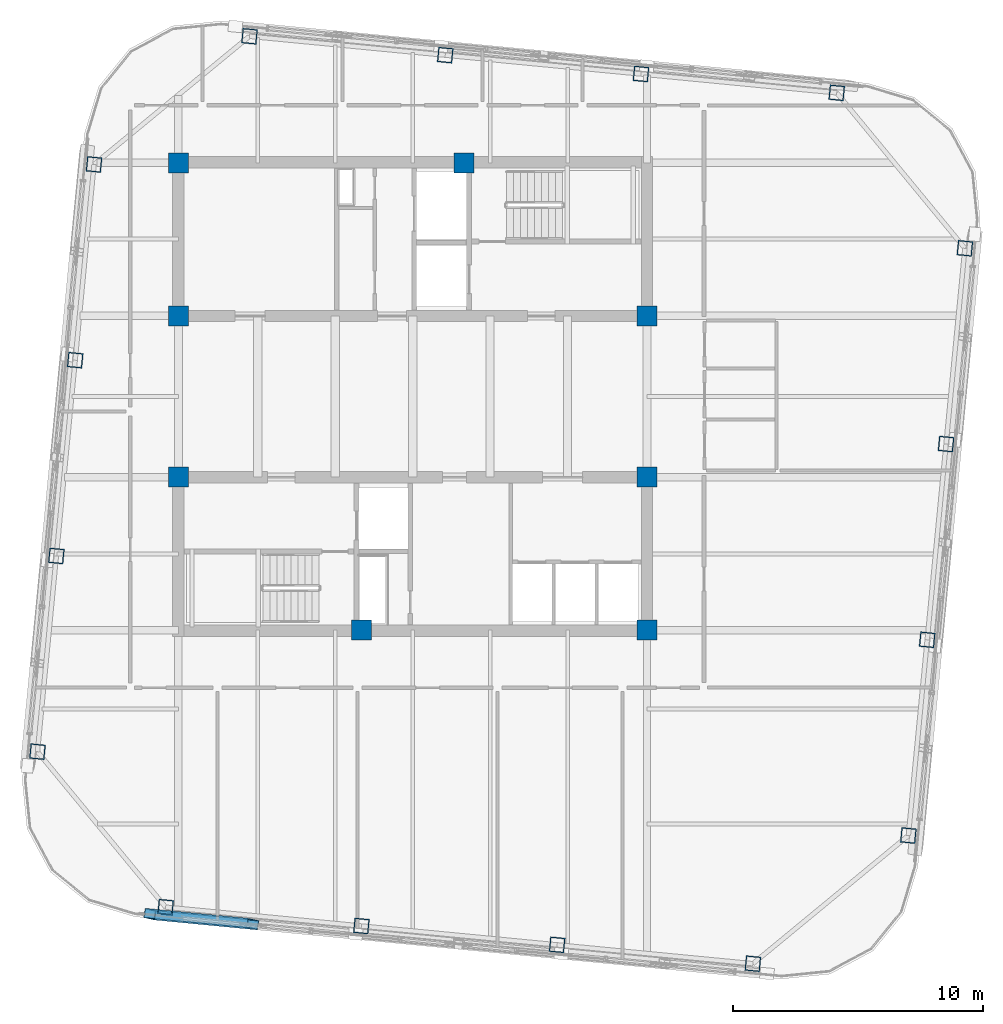
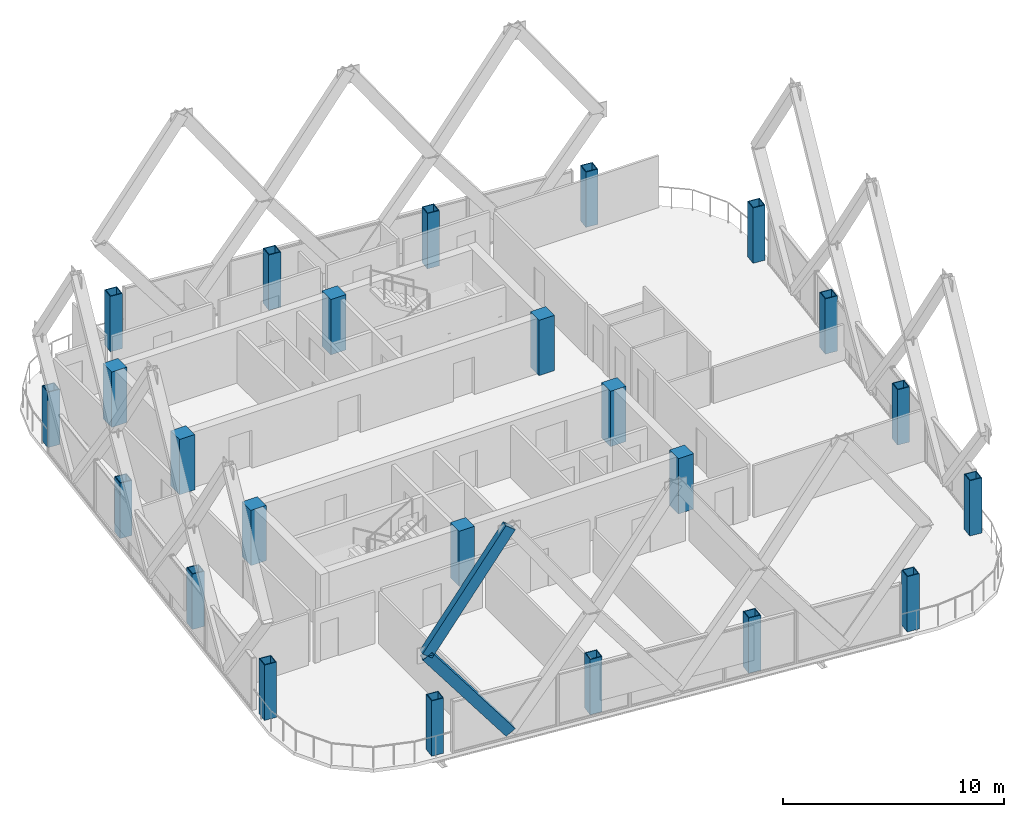
# One storey, part 1 of 25: 24 columns, 2 members.
"""IFC4 building model written with IfcOpenShell, lengths in metres."""

from ifc_helpers import new_model, si_unit, direction, frame, origin, origin_2d, place, context, subcontext, project, spatial, rectangle, hollow_rectangle, extrude, material, material_profile, profile_set, type_object, element, save


model = new_model("IFC4")

# Units and contexts
model_context = context("Model", 3, precision=1e-05, world=origin(), true_north=direction((0.0, 1.0)))
body_context = subcontext(model_context, "Body", "Model", "MODEL_VIEW")
ifc_project = project(units=[si_unit("LENGTHUNIT", "METRE"), si_unit("AREAUNIT", "SQUARE_METRE"), si_unit("VOLUMEUNIT", "CUBIC_METRE"), si_unit("PLANEANGLEUNIT", "RADIAN"), si_unit("MASSUNIT", "GRAM", prefix="KILO")], contexts=[model_context])

# Site, building, storey
site_placement = place(None, origin())
site = spatial("IfcSite", under=ifc_project, at=site_placement, CompositionType="ELEMENT")
building_placement = place(site_placement, origin())
building = spatial("IfcBuilding", under=site, at=building_placement, Name="Qhalaya Broadcast Tower", CompositionType="ELEMENT")
storey_placement = place(building_placement, frame((0.0, 0.0, 255.050048828125)))
storey = spatial("IfcBuildingStorey", under=building, at=storey_placement, Name="L75", CompositionType="ELEMENT", Elevation=255.050048828125)

# Columns
ifc_material_1 = material(Name="Concrete C50/60", Category="concrete")
ifc_material_profile_1 = material_profile(ifc_material_1, rectangle(XDim=0.800048828125, YDim=0.800048828125, at=origin_2d()), Name="RC-COL 800x800")
ifc_profile_set_1 = profile_set([ifc_material_profile_1], Name="Concrete C50/60")
column_type_1 = type_object("IfcColumnType", Name="RC Upper Column C10", PredefinedType="COLUMN", material=ifc_profile_set_1)
for number, where, z_axis, x_axis, name in (
    (1, (-9.375, 9.949951171875, 0.0), (0.0, 0.0, 1.0), (1.0, 0.0, 0.0), "L75 Column COL-CC1"),
    (2, (2.050048828125, 9.949951171875, 0.0), (0.0, 0.0, 1.0), (1.0, 0.0, 0.0), "L75 Column COL-CC2"),
    (3, (-9.375, 3.824951171875, 0.0), (0.0, 0.0, 1.0), (1.0, 0.0, 0.0), "L75 Column COL-CC3"),
    (4, (9.375, 3.824951171875, 0.0), (0.0, 0.0, 1.0), (1.0, 0.0, 0.0), "L75 Column COL-CC4"),
    (5, (-9.375, -2.625, 0.0), (0.0, 0.0, 1.0), (1.0, 0.0, 0.0), "L75 Column COL-CC5"),
    (6, (9.375, -2.625, 0.0), (0.0, 0.0, 1.0), (1.0, 0.0, 0.0), "L75 Column COL-CC6"),
    (7, (-2.050048828125, -8.75, 0.0), (0.0, 0.0, 1.0), (1.0, 0.0, 0.0), "L75 Column COL-CC7"),
    (8, (9.375, -8.75, 0.0), (0.0, 0.0, 1.0), (1.0, 0.0, 0.0), "L75 Column COL-CC8"),
):
    element("IfcColumn", number, at=place(storey_placement, frame(where, z_axis=z_axis, x_axis=x_axis)), inside=storey, type_object=column_type_1, Name=name, PredefinedType="COLUMN", context=body_context, shape_type="SweptSolid", body=[
        extrude(rectangle(XDim=0.800048828125, YDim=0.800048828125, at=origin_2d()), origin(), (0.0, 0.0, 1.0), 3.050048828125),
    ])
ifc_material_2 = material(Name="Structural Steel ASTM A572 Grade 50", Category="steel")
ifc_material_profile_2 = material_profile(ifc_material_2, hollow_rectangle(XDim=0.60009765625, YDim=0.60009765625, WallThickness=0.0400390625, at=origin_2d()), Name="BOX 600x600x40")
ifc_profile_set_2 = profile_set([ifc_material_profile_2], Name="Structural Steel ASTM A572 Grade 50")
column_type_2 = type_object("IfcColumnType", Name="Steel Box Column C05", PredefinedType="COLUMN", material=ifc_profile_set_2)
for number, where, z_axis, x_axis, name in (
    (9, (-9.883056640625, -19.82861328125, 0.0), (0.0, 0.0, 1.0), (0.995396198367, -0.09584575252, 0.0), "L75 Column COL-EX01"),
    (10, (-2.052490234375, -20.58251953125, 0.0), (0.0, 0.0, 1.0), (0.995396198367, -0.09584575252, 0.0), "L75 Column COL-EX02"),
    (11, (5.77783203125, -21.33642578125, 0.0), (0.0, 0.0, 1.0), (0.995396198367, -0.09584575252, 0.0), "L75 Column COL-EX03"),
    (12, (13.6083984375, -22.09033203125, 0.0), (0.0, 0.0, 1.0), (0.995396198367, -0.09584575252, 0.0), "L75 Column COL-EX04"),
    (13, (19.82861328125, -16.962890625, 0.0), (0.0, 0.0, 1.0), (0.09584575252, 0.995396198367, 0.0), "L75 Column COL-EX05"),
    (14, (20.58251953125, -9.132568359375, 0.0), (0.0, 0.0, 1.0), (0.09584575252, 0.995396198367, 0.0), "L75 Column COL-EX06"),
    (15, (21.33642578125, -1.302001953125, 0.0), (0.0, 0.0, 1.0), (0.09584575252, 0.995396198367, 0.0), "L75 Column COL-EX07"),
    (16, (22.09033203125, 6.5283203125, 0.0), (0.0, 0.0, 1.0), (0.09584575252, 0.995396198367, 0.0), "L75 Column COL-EX08"),
    (17, (16.962890625, 12.74853515625, 0.0), (0.0, 0.0, 1.0), (0.995396198367, -0.09584575252, 0.0), "L75 Column COL-EX09"),
    (18, (9.132568359375, 13.50244140625, 0.0), (0.0, 0.0, 1.0), (0.995396198367, -0.09584575252, 0.0), "L75 Column COL-EX10"),
    (19, (1.302001953125, 14.25634765625, 0.0), (0.0, 0.0, 1.0), (0.995396198367, -0.09584575252, 0.0), "L75 Column COL-EX11"),
    (20, (-6.5283203125, 15.010498046875, 0.0), (0.0, 0.0, 1.0), (0.995396198367, -0.09584575252, 0.0), "L75 Column COL-EX12"),
    (21, (-12.74853515625, 9.883056640625, 0.0), (0.0, 0.0, 1.0), (0.09584575252, 0.995396198367, 0.0), "L75 Column COL-EX13"),
    (22, (-13.50244140625, 2.052490234375, 0.0), (0.0, 0.0, 1.0), (0.09584575252, 0.995396198367, 0.0), "L75 Column COL-EX14"),
    (23, (-14.25634765625, -5.77783203125, 0.0), (0.0, 0.0, 1.0), (0.09584575252, 0.995396198367, 0.0), "L75 Column COL-EX15"),
    (24, (-15.010498046875, -13.6083984375, 0.0), (0.0, 0.0, 1.0), (0.09584575252, 0.995396198367, 0.0), "L75 Column COL-EX16"),
):
    element("IfcColumn", number, at=place(storey_placement, frame(where, z_axis=z_axis, x_axis=x_axis)), inside=storey, type_object=column_type_2, Name=name, PredefinedType="COLUMN", context=body_context, shape_type="SweptSolid", body=[
        extrude(hollow_rectangle(XDim=0.60009765625, YDim=0.60009765625, WallThickness=0.0400390625, at=origin_2d()), origin(), (0.0, 0.0, 1.0), 3.050048828125),
    ])

# Members
ifc_material_profile_3 = material_profile(ifc_material_2, hollow_rectangle(XDim=0.3798828125, YDim=0.550048828125, WallThickness=0.02490234375, at=origin_2d()), Name="BOX 380x550x25")
ifc_profile_set_3 = profile_set([ifc_material_profile_3], Name="Structural Steel ASTM A572 Grade 50")
member_type = type_object("IfcMemberType", Name="Exoskeleton Diamond Diagonal Upper EX4", PredefinedType="BRACE", material=ifc_profile_set_3)
member_1_placement = place(storey_placement, frame((-6.3984375, -20.505615234375, 0.35986328125), z_axis=(-0.605362942159, 0.058301925892, 0.793811434597), x_axis=(-0.171157163881, -0.983517925101, -0.058289932722)))
element("IfcMember", 25, at=member_1_placement, inside=storey, type_object=member_type, Name="B6 Exoskeleton Diamond Brace S1-D1", PredefinedType="BRACE", context=body_context, shape_type="SweptSolid", body=[
    extrude(hollow_rectangle(XDim=0.3798828125, YDim=0.550048828125, WallThickness=0.02490234375, at=origin_2d()), origin(), (0.0, 0.0, 1.0), 6.79638671875),
])
member_2_placement = place(storey_placement, frame((-10.5126953125, -20.109375, 5.7548828125), z_axis=(0.572753444041, -0.055161336321, 0.817869622443), x_axis=(0.173452418829, 0.983296871293, -0.055149989195)))
element("IfcMember", 26, at=member_2_placement, inside=storey, type_object=member_type, Name="B6 Exoskeleton Diamond Brace S1-D3", PredefinedType="BRACE", context=body_context, shape_type="SweptSolid", body=[
    extrude(hollow_rectangle(XDim=0.3798828125, YDim=0.550048828125, WallThickness=0.02490234375, at=origin_2d()), origin(), (0.0, 0.0, 1.0), 7.183349609375),
])

save(model, "model.ifc")
